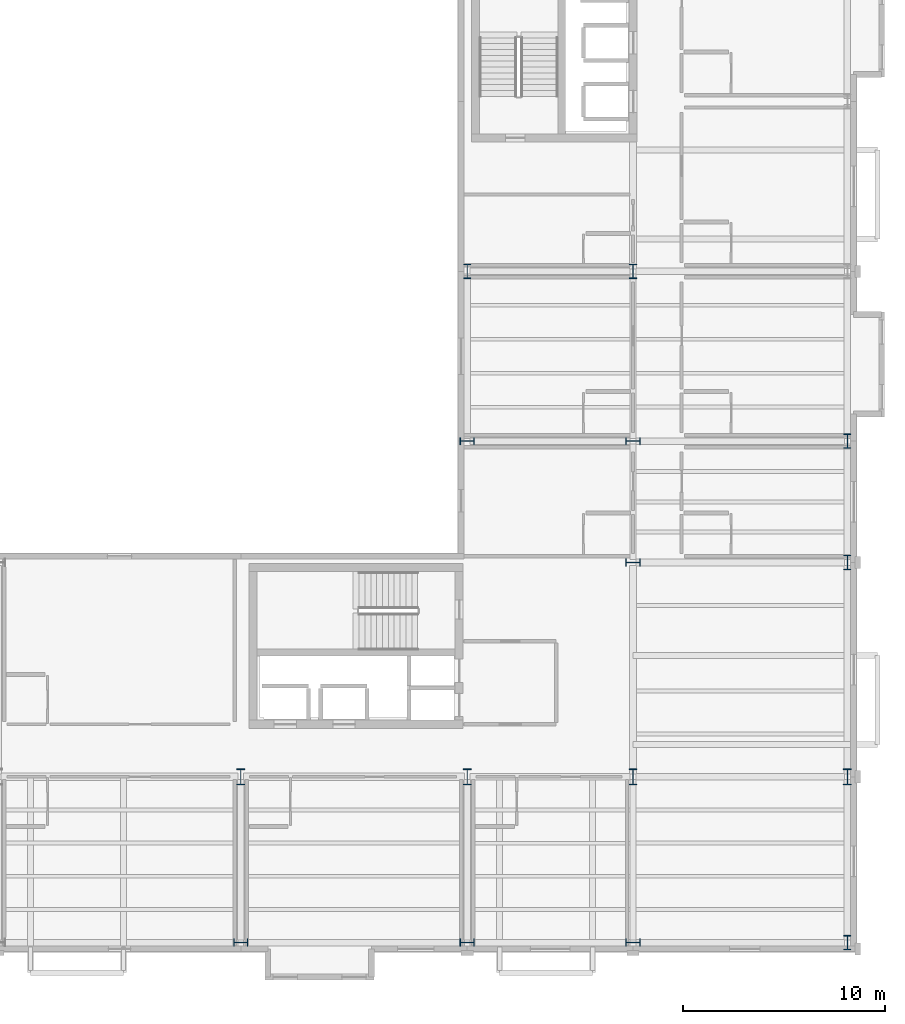
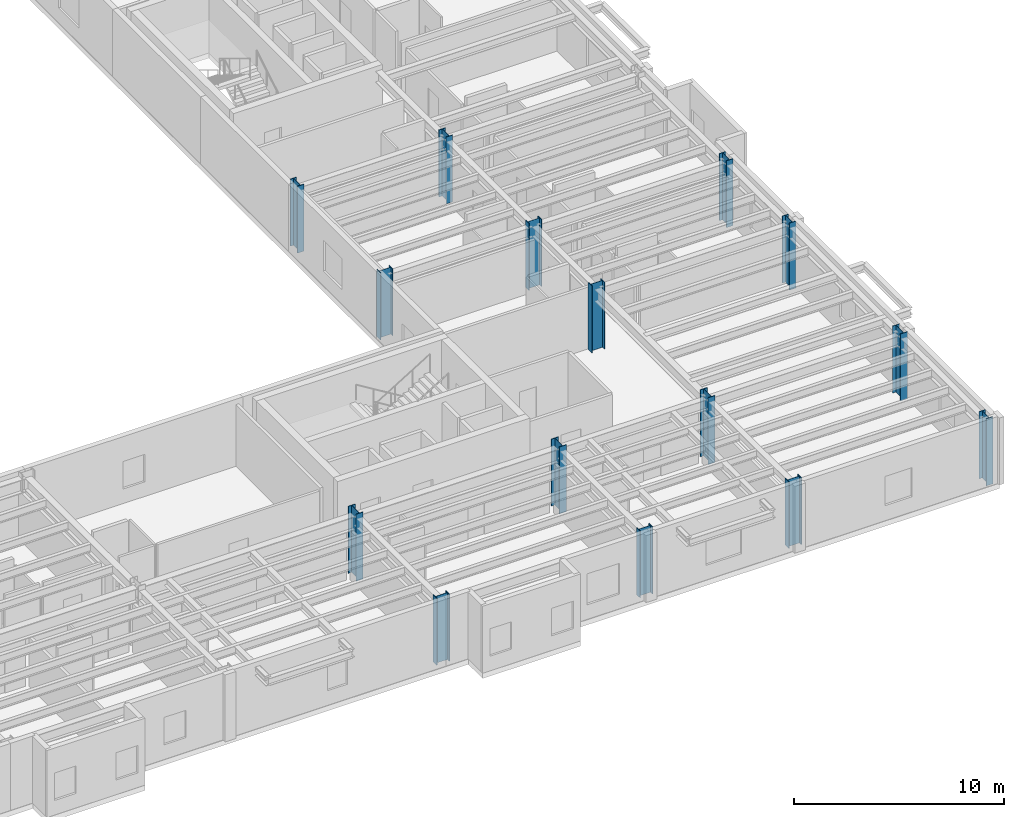
# One storey, part 11 of 59: 15 columns.
"""IFC4 building model written with IfcOpenShell, lengths in metres."""

from ifc_helpers import new_model, si_unit, direction, frame, origin, origin_2d, place, context, subcontext, project, spatial, i_section, extrude, material, material_profile, profile_set, type_object, element, save


model = new_model("IFC4")

# Units and contexts
model_context = context("Model", 3, precision=1e-05, world=origin(), true_north=direction((0.0, 1.0)))
body_context = subcontext(model_context, "Body", "Model", "MODEL_VIEW")
ifc_project = project(units=[si_unit("LENGTHUNIT", "METRE"), si_unit("AREAUNIT", "SQUARE_METRE"), si_unit("VOLUMEUNIT", "CUBIC_METRE"), si_unit("PLANEANGLEUNIT", "RADIAN"), si_unit("MASSUNIT", "GRAM", prefix="KILO")], contexts=[model_context])

# Site, building, storey
site_placement = place(None, origin())
site = spatial("IfcSite", under=ifc_project, at=site_placement, CompositionType="ELEMENT")
building_placement = place(site_placement, origin())
building = spatial("IfcBuilding", under=site, at=building_placement, Name="Sollismere Congress Hotel", CompositionType="ELEMENT")
storey_placement = place(building_placement, frame((0.0, 0.0, 15.60009765625)))
storey = spatial("IfcBuildingStorey", under=building, at=storey_placement, Name="L03", CompositionType="ELEMENT", Elevation=15.60009765625)

# Columns
ifc_material = material(Name="Steel ASTM A992 Grade 50", Category="steel")
ifc_material_profile_1 = material_profile(ifc_material, i_section(OverallWidth=0.35595703125, OverallDepth=0.714111328125, WebThickness=0.01904296875, FlangeThickness=0.033935546875, at=origin_2d()), Name="W27X194")
ifc_profile_set_1 = profile_set([ifc_material_profile_1], Name="Steel ASTM A992 Grade 50")
column_type_1 = type_object("IfcColumnType", Name="COL-W27", PredefinedType="COLUMN", material=ifc_profile_set_1)
for number, where, z_axis, x_axis, name in (
    (1, (136.0, 0.0, 0.0), (0.0, 0.0, 1.0), (0.0, 1.0, 0.0), "Column CL-L03-731"),
    (2, (147.199951171875, 0.0, 0.0), (0.0, 0.0, 1.0), (0.0, 1.0, 0.0), "Column CL-L03-784"),
    (3, (147.199951171875, 24.800048828125, 0.0), (0.0, 0.0, 1.0), (0.0, 1.0, 0.0), "Column CL-L03-810"),
    (4, (147.199951171875, 33.199951171875, 0.0), (0.0, 0.0, 1.0), (1.0, 0.0, 0.0), "Column CL-L03-823"),
    (5, (155.39990234375, 0.0, 0.0), (0.0, 0.0, 1.0), (0.0, 1.0, 0.0), "Column CL-L03-859"),
    (6, (155.39990234375, 18.800048828125, 0.0), (0.0, 0.0, 1.0), (0.0, 1.0, 0.0), "Column CL-L03-885"),
    (7, (155.39990234375, 24.800048828125, 0.0), (0.0, 0.0, 1.0), (0.0, 1.0, 0.0), "Column CL-L03-898"),
    (8, (155.39990234375, 33.199951171875, 0.0), (0.0, 0.0, 1.0), (1.0, 0.0, 0.0), "Column CL-L03-911"),
    (9, (166.0, 0.0, 0.0), (0.0, 0.0, 1.0), (1.0, 0.0, 0.0), "Column CL-L03-947"),
    (10, (166.0, 18.800048828125, 0.0), (0.0, 0.0, 1.0), (1.0, 0.0, 0.0), "Column CL-L03-973"),
    (11, (166.0, 24.800048828125, 0.0), (0.0, 0.0, 1.0), (1.0, 0.0, 0.0), "Column CL-L03-986"),
):
    element("IfcColumn", number, at=place(storey_placement, frame(where, z_axis=z_axis, x_axis=x_axis)), inside=storey, type_object=column_type_1, Name=name, PredefinedType="COLUMN", context=body_context, shape_type="SweptSolid", body=[
        extrude(i_section(OverallWidth=0.35595703125, OverallDepth=0.714111328125, WebThickness=0.01904296875, FlangeThickness=0.033935546875, at=origin_2d()), origin(), (0.0, 0.0, 1.0), 3.89990234375),
    ])
ifc_material_profile_2 = material_profile(ifc_material, i_section(OverallWidth=0.384033203125, OverallDepth=0.787109375, WebThickness=0.019775390625, FlangeThickness=0.033447265625, at=origin_2d()), Name="W30X211")
ifc_profile_set_2 = profile_set([ifc_material_profile_2], Name="Steel ASTM A992 Grade 50")
column_type_2 = type_object("IfcColumnType", Name="COL-W30", PredefinedType="COLUMN", material=ifc_profile_set_2)
for number, where, z_axis, x_axis, name in (
    (12, (136.0, 8.199951171875, 0.0), (0.0, 0.0, 1.0), (1.0, 0.0, 0.0), "Column CL-L03-744"),
    (13, (147.199951171875, 8.199951171875, 0.0), (0.0, 0.0, 1.0), (1.0, 0.0, 0.0), "Column CL-L03-797"),
    (14, (155.39990234375, 8.199951171875, 0.0), (0.0, 0.0, 1.0), (1.0, 0.0, 0.0), "Column CL-L03-872"),
    (15, (166.0, 8.199951171875, 0.0), (0.0, 0.0, 1.0), (1.0, 0.0, 0.0), "Column CL-L03-960"),
):
    element("IfcColumn", number, at=place(storey_placement, frame(where, z_axis=z_axis, x_axis=x_axis)), inside=storey, type_object=column_type_2, Name=name, PredefinedType="COLUMN", context=body_context, shape_type="SweptSolid", body=[
        extrude(i_section(OverallWidth=0.384033203125, OverallDepth=0.787109375, WebThickness=0.019775390625, FlangeThickness=0.033447265625, at=origin_2d()), origin(), (0.0, 0.0, 1.0), 3.89990234375),
    ])

save(model, "model.ifc")
